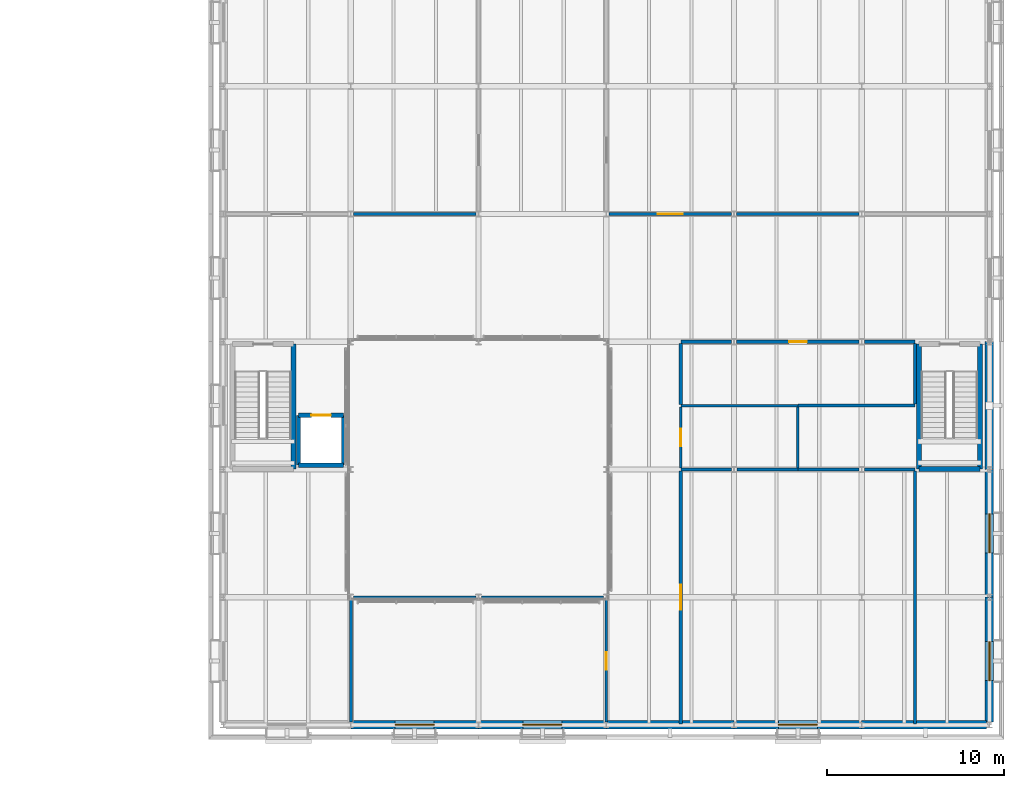
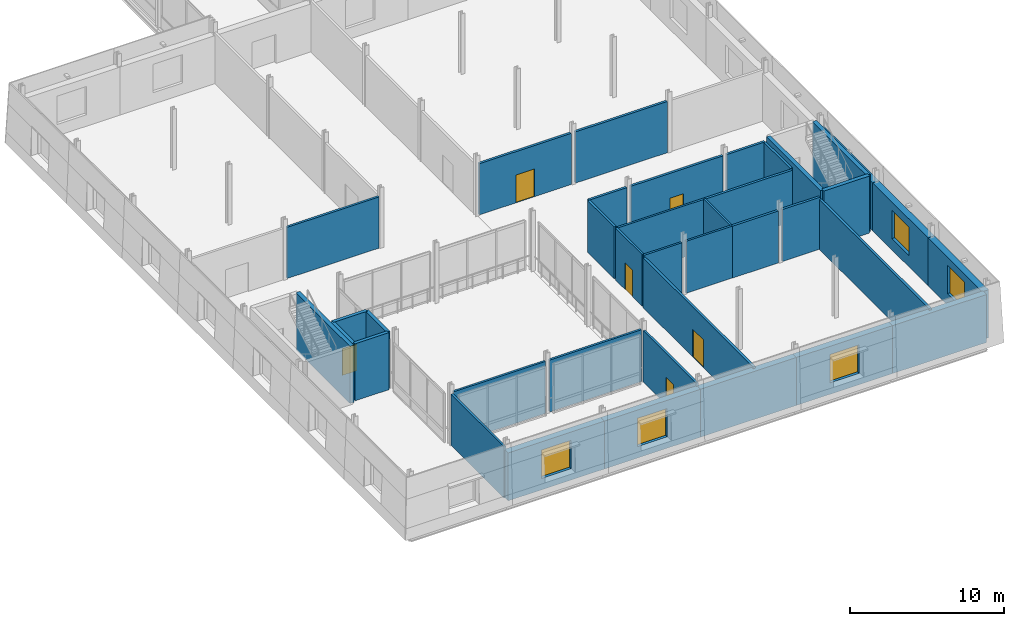
# One storey, part 85 of 121: 38 walls, 6 doors, 5 windows, 11 openings.
"""IFC4 building model written with IfcOpenShell, lengths in metres."""

from ifc_helpers import new_model, si_unit, direction, frame, frame_2d, origin, place, context, subcontext, project, spatial, rectangle, extrude, material, layer, layer_set, type_object, element, fill, save


model = new_model("IFC4")

# Units and contexts
model_context = context("Model", 3, precision=1e-05, world=origin(), true_north=direction((0.0, 1.0)))
body_context = subcontext(model_context, "Body", "Model", "MODEL_VIEW")
ifc_project = project(units=[si_unit("LENGTHUNIT", "METRE"), si_unit("AREAUNIT", "SQUARE_METRE"), si_unit("VOLUMEUNIT", "CUBIC_METRE"), si_unit("PLANEANGLEUNIT", "RADIAN"), si_unit("MASSUNIT", "GRAM", prefix="KILO")], contexts=[model_context])

# Site, building, storey
site_placement = place(None, origin())
site = spatial("IfcSite", under=ifc_project, at=site_placement, CompositionType="ELEMENT")
building_placement = place(site_placement, origin())
building = spatial("IfcBuilding", under=site, at=building_placement, Name="Narikvali Park Central Library", CompositionType="ELEMENT")
storey_placement = place(building_placement, frame((0.0, 0.0, 5.39990234375)))
storey = spatial("IfcBuildingStorey", under=building, at=storey_placement, Name="L01", CompositionType="ELEMENT", Elevation=5.39990234375)

# Walls
ifc_material_1 = material(Name="Acoustic Laminated Glass and Steel Studs", Category="steel")
ifc_layer_1 = layer(ifc_material_1, 0.169921875, Name="Acoustic Laminated Glass and Steel Studs")
ifc_layer_set_1 = layer_set([ifc_layer_1], Name="Acoustic Laminated Glass and Steel Studs")
wall_type_1 = type_object("IfcWallType", Name="Maker Space Glazed Acoustic Partition 170", PredefinedType="PARTITIONING", material=ifc_layer_set_1)
wall_1_placement = place(storey_placement, frame((129.75390625, 28.800048828125, 0.0), z_axis=(0.0, 0.0, 1.0), x_axis=(1.0, 0.0, 0.0)))
element("IfcWall", 1, at=wall_1_placement, inside=storey, type_object=wall_type_1, Name="Digital Fabrication and Robotics Maker Space Partition S", PredefinedType="PARTITIONING", context=body_context, shape_type="SweptSolid", body=[
    extrude(rectangle(XDim=6.89208984375, YDim=0.169921875, at=frame_2d((3.446044921875, 0.0))), origin(), (0.0, 0.0, 1.0), 4.05517578125),
])
ifc_material_2 = material(Name="Moisture-Resistant Cement Board on Steel Studs", Category="steel")
ifc_layer_2 = layer(ifc_material_2, 0.14990234375, Name="Moisture-Resistant Cement Board on Steel Studs")
ifc_layer_set_2 = layer_set([ifc_layer_2], Name="Moisture-Resistant Cement Board on Steel Studs")
wall_type_2 = type_object("IfcWallType", Name="Moisture-Resistant WC Partition 150", PredefinedType="PARTITIONING", material=ifc_layer_set_2)
wall_2_placement = place(storey_placement, frame((148.199951171875, 14.39990234375, 0.0), z_axis=(0.0, 0.0, 1.0), x_axis=(1.0, 0.0, 0.0)))
element("IfcWall", 2, at=wall_2_placement, inside=storey, type_object=wall_type_2, Name="Community Wing Accessible WC L01 Partition S", PredefinedType="PARTITIONING", context=body_context, shape_type="SweptSolid", body=[
    extrude(rectangle(XDim=2.845947265625, YDim=0.14990234375, at=frame_2d((1.4228515625, 0.0))), origin(), (0.0, 0.0, 1.0), 4.114990234375),
])
wall_3_placement = place(storey_placement, frame((151.35400390625, 14.39990234375, 0.0), z_axis=(0.0, 0.0, 1.0), x_axis=(1.0, 0.0, 0.0)))
element("IfcWall", 3, at=wall_3_placement, inside=storey, type_object=wall_type_2, Name="Community Wing Accessible WC L01 Partition S", PredefinedType="PARTITIONING", context=body_context, shape_type="SweptSolid", body=[
    extrude(rectangle(XDim=3.446044921875, YDim=0.14990234375, at=frame_2d((1.72314453125, 0.0))), origin(), (0.0, 0.0, 1.0), 4.114990234375),
])
wall_4_placement = place(storey_placement, frame((148.199951171875, 18.0, 0.0), z_axis=(0.0, 0.0, 1.0), x_axis=(1.0, 0.0, 0.0)))
element("IfcWall", 4, at=wall_4_placement, inside=storey, type_object=wall_type_2, Name="Community Wing Accessible WC L01 Partition N", PredefinedType="PARTITIONING", context=body_context, shape_type="SweptSolid", body=[
    extrude(rectangle(XDim=6.60009765625, YDim=0.14990234375, at=frame_2d((3.300048828125, 0.0))), origin(), (0.0, 0.0, 1.0), 4.065185546875),
])

# Wall, opening, door
wall_5_placement = place(storey_placement, frame((148.199951171875, 14.47705078125, 0.0), z_axis=(0.0, 0.0, 1.0), x_axis=(0.0, 1.0, 0.0)))
wall_5 = element("IfcWall", 5, at=wall_5_placement, inside=storey, type_object=wall_type_2, Name="Community Wing Accessible WC L01 Partition W", PredefinedType="PARTITIONING", context=body_context, shape_type="SweptSolid", body=[
    extrude(rectangle(XDim=3.446044921875, YDim=0.14990234375, at=frame_2d((1.72314453125, 0.0))), origin(), (0.0, 0.0, 1.0), 4.114990234375),
])
opening_1_placement = place(wall_5_placement, frame((1.23291015625, 0.0, 0.0)))
opening_1 = element("IfcOpeningElement", 6, at=opening_1_placement, cuts=wall_5, Name="Opening ID-0025", PredefinedType="OPENING", context=body_context, shape_type="SweptSolid", body=[
    extrude(rectangle(XDim=0.97998046875, YDim=2.10009765625, at=frame_2d((0.489990234375, 1.050048828125))), frame((0.0, 0.0869140625, 0.0), z_axis=(0.0, -1.0, 0.0), x_axis=(1.0, 0.0, 0.0)), (0.0, 0.0, 1.0), 0.173828125),
])
ifc_material_3 = material(Name="Laminate Faced Hardwood Core", Category="wood")
door_type_1 = type_object("IfcDoorType", Name="Accessible WC Outward-Opening Door 980x2100", OperationType="SINGLE_SWING_RIGHT", PredefinedType="DOOR", material=ifc_material_3)
door_1_placement = place(opening_1_placement, origin())
door_1 = element("IfcDoor", 7, at=door_1_placement, inside=storey, type_object=door_type_1, Name="Community Wing Accessible WC L01 Door ID-0025", OperationType="SINGLE_SWING_LEFT", OverallHeight=2.10009765625, OverallWidth=0.97998046875, PredefinedType="DOOR", context=body_context, shape_type="SweptSolid", body=[
    extrude(rectangle(XDim=0.97998046875, YDim=2.10009765625, at=frame_2d((0.489990234375, 1.050048828125))), frame((0.0, 0.02490234375, 0.0), z_axis=(0.0, -1.0, 0.0), x_axis=(1.0, 0.0, 0.0)), (0.0, 0.0, 1.0), 0.050048828125),
])
fill(opening_1, door_1)

# Wall
wall_6_placement = place(storey_placement, frame((154.800048828125, 14.491943359375, 0.0), z_axis=(0.0, 0.0, 1.0), x_axis=(0.0, 1.0, 0.0)))
element("IfcWall", 8, at=wall_6_placement, inside=storey, type_object=wall_type_2, Name="Community Wing Accessible WC L01 Partition E", PredefinedType="PARTITIONING", context=body_context, shape_type="SweptSolid", body=[
    extrude(rectangle(XDim=3.416015625, YDim=0.14990234375, at=frame_2d((1.7080078125, 0.0))), origin(), (0.0, 0.0, 1.0), 4.114990234375),
])

# Wall, opening, door
ifc_material_4 = material(Name="Acoustic Gypsum on Steel Studs", Category="steel")
ifc_layer_3 = layer(ifc_material_4, 0.179931640625, Name="Acoustic Gypsum on Steel Studs")
ifc_layer_set_3 = layer_set([ifc_layer_3], Name="Acoustic Gypsum on Steel Studs")
wall_type_3 = type_object("IfcWallType", Name="Reading Room Acoustic Partition 180", PredefinedType="PARTITIONING", material=ifc_layer_set_3)
wall_7_placement = place(storey_placement, frame((144.154052734375, 28.800048828125, 0.0), z_axis=(0.0, 0.0, 1.0), x_axis=(1.0, 0.0, 0.0)))
wall_7 = element("IfcWall", 9, at=wall_7_placement, inside=storey, type_object=wall_type_3, Name="Community Language and Literacy Classroom Partition S", PredefinedType="PARTITIONING", context=body_context, shape_type="SweptSolid", body=[
    extrude(rectangle(XDim=6.891845703125, YDim=0.179931640625, at=frame_2d((3.44580078125, 0.0))), origin(), (0.0, 0.0, 1.0), 4.05517578125),
])
opening_2_placement = place(wall_7_placement, frame((2.74609375, 0.0, 0.0)))
opening_2 = element("IfcOpeningElement", 10, at=opening_2_placement, cuts=wall_7, Name="Opening ID-0154", PredefinedType="OPENING", context=body_context, shape_type="SweptSolid", body=[
    extrude(rectangle(XDim=1.39990234375, YDim=2.199951171875, at=frame_2d((0.699951171875, 1.10009765625))), frame((0.0, 0.10205078125, 0.0), z_axis=(0.0, -1.0, 0.0), x_axis=(1.0, 0.0, 0.0)), (0.0, 0.0, 1.0), 0.203857421875),
])
ifc_material_5 = material(Name="Caucasian Oak and Acoustic Glass", Category="glass")
door_type_2 = type_object("IfcDoorType", Name="Community Room Glazed Oak Door 1400x2200", OperationType="DOUBLE_DOOR_SINGLE_SWING", PredefinedType="DOOR", material=ifc_material_5)
door_2_placement = place(opening_2_placement, origin())
door_2 = element("IfcDoor", 11, at=door_2_placement, inside=storey, type_object=door_type_2, Name="Community Language and Literacy Classroom Door ID-0154", OperationType="DOUBLE_DOOR_SINGLE_SWING", OverallHeight=2.199951171875, OverallWidth=1.39990234375, PredefinedType="DOOR", context=body_context, shape_type="SweptSolid", body=[
    extrude(rectangle(XDim=1.39990234375, YDim=2.199951171875, at=frame_2d((0.699951171875, 1.10009765625))), frame((0.0, 0.02490234375, 0.0), z_axis=(0.0, -1.0, 0.0), x_axis=(1.0, 0.0, 0.0)), (0.0, 0.0, 1.0), 0.050048828125),
])
fill(opening_2, door_2)

# Walls
wall_8_placement = place(storey_placement, frame((151.35400390625, 28.800048828125, 0.0), z_axis=(0.0, 0.0, 1.0), x_axis=(1.0, 0.0, 0.0)))
element("IfcWall", 12, at=wall_8_placement, inside=storey, type_object=wall_type_3, Name="Community Language and Literacy Classroom Partition S", PredefinedType="PARTITIONING", context=body_context, shape_type="SweptSolid", body=[
    extrude(rectangle(XDim=6.89208984375, YDim=0.179931640625, at=frame_2d((3.446044921875, 0.0))), origin(), (0.0, 0.0, 1.0), 4.05517578125),
])
wall_9_placement = place(storey_placement, frame((154.802001953125, 18.0, 0.0), z_axis=(0.0, 0.0, 1.0), x_axis=(1.0, 0.0, 0.0)))
element("IfcWall", 13, at=wall_9_placement, inside=storey, type_object=wall_type_3, Name="Maker Space Filament and Tool Room Partition S", PredefinedType="PARTITIONING", context=body_context, shape_type="SweptSolid", body=[
    extrude(rectangle(XDim=6.597900390625, YDim=0.179931640625, at=frame_2d((3.298828125, 0.0))), origin(), (0.0, 0.0, 1.0), 4.065185546875),
])
wall_10_placement = place(storey_placement, frame((148.199951171875, 21.60009765625, 0.0), z_axis=(0.0, 0.0, 1.0), x_axis=(1.0, 0.0, 0.0)))
element("IfcWall", 14, at=wall_10_placement, inside=storey, type_object=wall_type_3, Name="Maker Space Filament and Tool Room Partition N", PredefinedType="PARTITIONING", context=body_context, shape_type="SweptSolid", body=[
    extrude(rectangle(XDim=2.845947265625, YDim=0.179931640625, at=frame_2d((1.4228515625, 0.0))), origin(), (0.0, 0.0, 1.0), 4.114990234375),
])

# Wall, opening, door
wall_11_placement = place(storey_placement, frame((151.35400390625, 21.60009765625, 0.0), z_axis=(0.0, 0.0, 1.0), x_axis=(1.0, 0.0, 0.0)))
wall_11 = element("IfcWall", 15, at=wall_11_placement, inside=storey, type_object=wall_type_3, Name="Maker Space Filament and Tool Room Partition N", PredefinedType="PARTITIONING", context=body_context, shape_type="SweptSolid", body=[
    extrude(rectangle(XDim=6.89208984375, YDim=0.179931640625, at=frame_2d((3.446044921875, 0.0))), origin(), (0.0, 0.0, 1.0), 4.114990234375),
])
opening_3_placement = place(wall_11_placement, frame((2.946044921875, 0.0, 0.0)))
opening_3 = element("IfcOpeningElement", 16, at=opening_3_placement, cuts=wall_11, Name="Opening ID-0159", PredefinedType="OPENING", context=body_context, shape_type="SweptSolid", body=[
    extrude(rectangle(XDim=1.0, YDim=2.14990234375, at=frame_2d((0.5, 1.074951171875))), frame((0.0, 0.10205078125, 0.0), z_axis=(0.0, -1.0, 0.0), x_axis=(1.0, 0.0, 0.0)), (0.0, 0.0, 1.0), 0.203857421875),
])
ifc_material_6 = material(Name="Solid Caucasian Oak")
door_type_3 = type_object("IfcDoorType", Name="Study Room Single Oak Door 1000x2150", OperationType="SINGLE_SWING_LEFT", PredefinedType="DOOR", material=ifc_material_6)
door_3_placement = place(opening_3_placement, frame((1.0, 0.0, 0.0), z_axis=(0.0, 0.0, 1.0), x_axis=(-1.0, 0.0, 0.0)))
door_3 = element("IfcDoor", 17, at=door_3_placement, inside=storey, type_object=door_type_3, Name="Maker Space Filament and Tool Room Door ID-0159", OperationType="SINGLE_SWING_LEFT", OverallHeight=2.14990234375, OverallWidth=1.0, PredefinedType="DOOR", context=body_context, shape_type="SweptSolid", body=[
    extrude(rectangle(XDim=1.0, YDim=2.14990234375, at=frame_2d((0.5, 1.074951171875))), frame((0.0, 0.02490234375, 0.0), z_axis=(0.0, -1.0, 0.0), x_axis=(1.0, 0.0, 0.0)), (0.0, 0.0, 1.0), 0.050048828125),
])
fill(opening_3, door_3)

# Walls
wall_12_placement = place(storey_placement, frame((158.553955078125, 21.60009765625, 0.0), z_axis=(0.0, 0.0, 1.0), x_axis=(1.0, 0.0, 0.0)))
element("IfcWall", 18, at=wall_12_placement, inside=storey, type_object=wall_type_3, Name="Maker Space Filament and Tool Room Partition N", PredefinedType="PARTITIONING", context=body_context, shape_type="SweptSolid", body=[
    extrude(rectangle(XDim=2.845947265625, YDim=0.179931640625, at=frame_2d((1.4228515625, 0.0))), origin(), (0.0, 0.0, 1.0), 4.114990234375),
])
wall_13_placement = place(storey_placement, frame((154.802001953125, 14.39990234375, 0.0), z_axis=(0.0, 0.0, 1.0), x_axis=(1.0, 0.0, 0.0)))
element("IfcWall", 19, at=wall_13_placement, inside=storey, type_object=wall_type_3, Name="Civic Seminar Room B Partition N", PredefinedType="PARTITIONING", context=body_context, shape_type="SweptSolid", body=[
    extrude(rectangle(XDim=3.444091796875, YDim=0.179931640625, at=frame_2d((1.72216796875, 0.0))), origin(), (0.0, 0.0, 1.0), 4.114990234375),
])
wall_14_placement = place(storey_placement, frame((158.553955078125, 14.39990234375, 0.0), z_axis=(0.0, 0.0, 1.0), x_axis=(1.0, 0.0, 0.0)))
element("IfcWall", 20, at=wall_14_placement, inside=storey, type_object=wall_type_3, Name="Civic Seminar Room B Partition N", PredefinedType="PARTITIONING", context=body_context, shape_type="SweptSolid", body=[
    extrude(rectangle(XDim=2.845947265625, YDim=0.179931640625, at=frame_2d((1.4228515625, 0.0))), origin(), (0.0, 0.0, 1.0), 4.114990234375),
])
wall_15_placement = place(storey_placement, frame((148.199951171875, 18.076904296875, 0.0), z_axis=(0.0, 0.0, 1.0), x_axis=(0.0, 1.0, 0.0)))
element("IfcWall", 21, at=wall_15_placement, inside=storey, type_object=wall_type_3, Name="Maker Space Filament and Tool Room Partition W", PredefinedType="PARTITIONING", context=body_context, shape_type="SweptSolid", body=[
    extrude(rectangle(XDim=3.43115234375, YDim=0.179931640625, at=frame_2d((1.715576171875, 0.0))), origin(), (0.0, 0.0, 1.0), 4.114990234375),
])
wall_16_placement = place(storey_placement, frame((161.39990234375, 18.092041015625, 0.0), z_axis=(0.0, 0.0, 1.0), x_axis=(0.0, 1.0, 0.0)))
element("IfcWall", 22, at=wall_16_placement, inside=storey, type_object=wall_type_3, Name="Maker Space Filament and Tool Room Partition E", PredefinedType="PARTITIONING", context=body_context, shape_type="SweptSolid", body=[
    extrude(rectangle(XDim=3.416015625, YDim=0.179931640625, at=frame_2d((1.7080078125, 0.0))), origin(), (0.0, 0.0, 1.0), 4.114990234375),
])

# Wall, opening, door
wall_17_placement = place(storey_placement, frame((148.199951171875, 0.054931640625, 0.0), z_axis=(0.0, 0.0, 1.0), x_axis=(0.0, 1.0, 0.0)))
wall_17 = element("IfcWall", 23, at=wall_17_placement, inside=storey, type_object=wall_type_3, Name="Civic Seminar Room B Partition W", PredefinedType="PARTITIONING", context=body_context, shape_type="SweptSolid", body=[
    extrude(rectangle(XDim=14.26806640625, YDim=0.179931640625, at=frame_2d((7.134033203125, 0.0))), origin(), (0.0, 0.0, 1.0), 3.955078125),
])
opening_4_placement = place(wall_17_placement, frame((6.43408203125, 0.0, 0.0)))
opening_4 = element("IfcOpeningElement", 24, at=opening_4_placement, cuts=wall_17, Name="Opening ID-0160", PredefinedType="OPENING", context=body_context, shape_type="SweptSolid", body=[
    extrude(rectangle(XDim=1.39990234375, YDim=2.199951171875, at=frame_2d((0.699951171875, 1.10009765625))), frame((0.0, 0.10205078125, 0.0), z_axis=(0.0, -1.0, 0.0), x_axis=(1.0, 0.0, 0.0)), (0.0, 0.0, 1.0), 0.203857421875),
])
door_4_placement = place(opening_4_placement, frame((1.39990234375, 0.0, 0.0), z_axis=(0.0, 0.0, 1.0), x_axis=(-1.0, 0.0, 0.0)))
door_4 = element("IfcDoor", 25, at=door_4_placement, inside=storey, type_object=door_type_2, Name="Civic Seminar Room B Door ID-0160", OperationType="DOUBLE_DOOR_SINGLE_SWING", OverallHeight=2.199951171875, OverallWidth=1.39990234375, PredefinedType="DOOR", context=body_context, shape_type="SweptSolid", body=[
    extrude(rectangle(XDim=1.39990234375, YDim=2.199951171875, at=frame_2d((0.699951171875, 1.10009765625))), frame((0.0, 0.02490234375, 0.0), z_axis=(0.0, -1.0, 0.0), x_axis=(1.0, 0.0, 0.0)), (0.0, 0.0, 1.0), 0.050048828125),
])
fill(opening_4, door_4)

# Walls
wall_18_placement = place(storey_placement, frame((161.39990234375, 0.054931640625, 0.0), z_axis=(0.0, 0.0, 1.0), x_axis=(0.0, 1.0, 0.0)))
element("IfcWall", 26, at=wall_18_placement, inside=storey, type_object=wall_type_3, Name="Civic Seminar Room B Partition E", PredefinedType="PARTITIONING", context=body_context, shape_type="SweptSolid", body=[
    extrude(rectangle(XDim=14.253173828125, YDim=0.179931640625, at=frame_2d((7.12646484375, 0.0))), origin(), (0.0, 0.0, 1.0), 3.955078125),
])
ifc_material_7 = material(Name="Concrete C40/50", Category="concrete")
ifc_layer_4 = layer(ifc_material_7, 0.25, Name="Concrete C40/50")
ifc_layer_set_4 = layer_set([ifc_layer_4], Name="Concrete C40/50")
wall_type_4 = type_object("IfcWallType", Name="Reinforced Concrete Lift Shaft Wall 250", PredefinedType="SHEAR", material=ifc_layer_set_4)
wall_19_placement = place(storey_placement, frame((126.64990234375, 14.64990234375, 0.0), z_axis=(0.0, 0.0, 1.0), x_axis=(1.0, 0.0, 0.0)))
element("IfcWall", 27, at=wall_19_placement, inside=storey, type_object=wall_type_4, Name="L-07 L01 Lift Shaft Wall S", PredefinedType="SHEAR", context=body_context, shape_type="SweptSolid", body=[
    extrude(rectangle(XDim=2.550048828125, YDim=0.25, at=frame_2d((1.27490234375, 0.0))), origin(), (0.0, 0.0, 1.0), 4.52001953125),
])
wall_20_placement = place(storey_placement, frame((129.199951171875, 14.64990234375, 0.0), z_axis=(0.0, 0.0, 1.0), x_axis=(0.0, 1.0, 0.0)))
element("IfcWall", 28, at=wall_20_placement, inside=storey, type_object=wall_type_4, Name="L-07 L01 Lift Shaft Wall E", PredefinedType="SHEAR", context=body_context, shape_type="SweptSolid", body=[
    extrude(rectangle(XDim=2.800048828125, YDim=0.25, at=frame_2d((1.39990234375, 0.0))), origin(), (0.0, 0.0, 1.0), 4.52001953125),
])

# Wall, opening, door
wall_21_placement = place(storey_placement, frame((129.199951171875, 17.449951171875, 0.0), z_axis=(0.0, 0.0, 1.0), x_axis=(-1.0, 0.0, 0.0)))
wall_21 = element("IfcWall", 29, at=wall_21_placement, inside=storey, type_object=wall_type_4, Name="L-07 L01 Lift Shaft Wall N", PredefinedType="SHEAR", context=body_context, shape_type="SweptSolid", body=[
    extrude(rectangle(XDim=2.550048828125, YDim=0.25, at=frame_2d((1.27490234375, 0.0))), origin(), (0.0, 0.0, 1.0), 4.52001953125),
])
opening_5_placement = place(wall_21_placement, frame((0.72509765625, 0.0, 0.0)))
opening_5 = element("IfcOpeningElement", 30, at=opening_5_placement, cuts=wall_21, Name="Opening LD-050", PredefinedType="OPENING", context=body_context, shape_type="SweptSolid", body=[
    extrude(rectangle(XDim=1.10009765625, YDim=2.10009765625, at=frame_2d((0.550048828125, 1.050048828125))), frame((0.0, 0.136962890625, 0.0), z_axis=(0.0, -1.0, 0.0), x_axis=(1.0, 0.0, 0.0)), (0.0, 0.0, 1.0), 0.27392578125),
])
ifc_material_8 = material(Name="Brushed Stainless Steel S355", Category="steel")
door_type_4 = type_object("IfcDoorType", Name="Passenger Lift Sliding Landing Door 1100x2100", OperationType="SLIDING_TO_LEFT", PredefinedType="DOOR", material=ifc_material_8)
door_5_placement = place(opening_5_placement, origin())
door_5 = element("IfcDoor", 31, at=door_5_placement, inside=storey, type_object=door_type_4, Name="L-07 L01 Lift Landing Sliding Door LD-050", OperationType="SLIDING_TO_LEFT", OverallHeight=2.10009765625, OverallWidth=1.10009765625, PredefinedType="DOOR", context=body_context, shape_type="SweptSolid", body=[
    extrude(rectangle(XDim=1.10009765625, YDim=2.10009765625, at=frame_2d((0.550048828125, 1.050048828125))), frame((0.0, 0.02490234375, 0.0), z_axis=(0.0, -1.0, 0.0), x_axis=(1.0, 0.0, 0.0)), (0.0, 0.0, 1.0), 0.050048828125),
])
fill(opening_5, door_5)

# Walls
wall_22_placement = place(storey_placement, frame((126.64990234375, 17.449951171875, 0.0), z_axis=(0.0, 0.0, 1.0), x_axis=(0.0, -1.0, 0.0)))
element("IfcWall", 32, at=wall_22_placement, inside=storey, type_object=wall_type_4, Name="L-07 L01 Lift Shaft Wall W", PredefinedType="SHEAR", context=body_context, shape_type="SweptSolid", body=[
    extrude(rectangle(XDim=2.800048828125, YDim=0.25, at=frame_2d((1.39990234375, 0.0))), origin(), (0.0, 0.0, 1.0), 4.52001953125),
])
ifc_layer_5 = layer(ifc_material_7, 0.300048828125, Name="Concrete C40/50")
ifc_layer_set_5 = layer_set([ifc_layer_5], Name="Concrete C40/50")
wall_type_5 = type_object("IfcWallType", Name="Reinforced Concrete Shear Wall 300", PredefinedType="SHEAR", material=ifc_layer_set_5)
wall_23_placement = place(storey_placement, frame((126.3701171875, 14.429931640625, 0.0), z_axis=(0.0, 0.0, 1.0), x_axis=(0.0, 1.0, 0.0)))
element("IfcWall", 33, at=wall_23_placement, inside=storey, type_object=wall_type_5, Name="C6A L01 Stair Core Shear Wall E", PredefinedType="SHEAR", context=body_context, shape_type="SweptSolid", body=[
    extrude(rectangle(XDim=7.0400390625, YDim=0.300048828125, at=frame_2d((3.52001953125, 0.0))), origin(), (0.0, 0.0, 1.0), 4.52001953125),
])
wall_24_placement = place(storey_placement, frame((161.6298828125, 14.429931640625, 0.0), z_axis=(0.0, 0.0, 1.0), x_axis=(1.0, 0.0, 0.0)))
element("IfcWall", 34, at=wall_24_placement, inside=storey, type_object=wall_type_5, Name="C6B L01 Stair Core Shear Wall S", PredefinedType="SHEAR", context=body_context, shape_type="SweptSolid", body=[
    extrude(rectangle(XDim=3.440185546875, YDim=0.300048828125, at=frame_2d((1.72021484375, 0.0))), origin(), (0.0, 0.0, 1.0), 4.52001953125),
])
for number, where, z_axis, x_axis, name in (
    (35, (165.070068359375, 14.429931640625, 0.0), (0.0, 0.0, 1.0), (0.0, 1.0, 0.0), "C6B L01 Stair Core Shear Wall E"),
    (36, (161.6298828125, 21.469970703125, 0.0), (0.0, 0.0, 1.0), (0.0, -1.0, 0.0), "C6B L01 Stair Core Shear Wall W"),
):
    element("IfcWall", number, at=place(storey_placement, frame(where, z_axis=z_axis, x_axis=x_axis)), inside=storey, type_object=wall_type_5, Name=name, PredefinedType="SHEAR", context=body_context, shape_type="SweptSolid", body=[
        extrude(rectangle(XDim=7.0400390625, YDim=0.300048828125, at=frame_2d((3.52001953125, 0.0))), origin(), (0.0, 0.0, 1.0), 4.52001953125),
    ])
ifc_material_9 = material(Name="Gypsum Board on Galvanised Steel Studs", Category="steel")
ifc_layer_6 = layer(ifc_material_9, 0.159912109375, Name="Gypsum Board on Galvanised Steel Studs")
ifc_layer_set_6 = layer_set([ifc_layer_6], Name="Gypsum Board on Galvanised Steel Studs")
wall_type_6 = type_object("IfcWallType", Name="Study Room Partition Wall 160", PredefinedType="PARTITIONING", material=ifc_layer_set_6)
wall_25_placement = place(storey_placement, frame((129.75390625, 7.199951171875, 0.0), z_axis=(0.0, 0.0, 1.0), x_axis=(1.0, 0.0, 0.0)))
element("IfcWall", 37, at=wall_25_placement, inside=storey, type_object=wall_type_6, Name="Park Promenade Reading Mezzanine Partition N", PredefinedType="PARTITIONING", context=body_context, shape_type="SweptSolid", body=[
    extrude(rectangle(XDim=6.89208984375, YDim=0.159912109375, at=frame_2d((3.446044921875, 0.0))), origin(), (0.0, 0.0, 1.0), 4.114990234375),
])
wall_26_placement = place(storey_placement, frame((136.9541015625, 7.199951171875, 0.0), z_axis=(0.0, 0.0, 1.0), x_axis=(1.0, 0.0, 0.0)))
element("IfcWall", 38, at=wall_26_placement, inside=storey, type_object=wall_type_6, Name="Park Promenade Reading Mezzanine Partition N", PredefinedType="PARTITIONING", context=body_context, shape_type="SweptSolid", body=[
    extrude(rectangle(XDim=6.891845703125, YDim=0.159912109375, at=frame_2d((3.44580078125, 0.0))), origin(), (0.0, 0.0, 1.0), 4.114990234375),
])
wall_27_placement = place(storey_placement, frame((129.60009765625, 0.1640625, 0.0), z_axis=(0.0, 0.0, 1.0), x_axis=(0.0, 1.0, 0.0)))
element("IfcWall", 39, at=wall_27_placement, inside=storey, type_object=wall_type_6, Name="Park Promenade Reading Mezzanine Partition W", PredefinedType="PARTITIONING", context=body_context, shape_type="SweptSolid", body=[
    extrude(rectangle(XDim=6.871826171875, YDim=0.159912109375, at=frame_2d((3.43603515625, 0.0))), origin(), (0.0, 0.0, 1.0), 4.065185546875),
])

# Wall, opening, door
wall_28_placement = place(storey_placement, frame((144.0, 0.1640625, 0.0), z_axis=(0.0, 0.0, 1.0), x_axis=(0.0, 1.0, 0.0)))
wall_28 = element("IfcWall", 40, at=wall_28_placement, inside=storey, type_object=wall_type_6, Name="Park Promenade Reading Mezzanine Partition E", PredefinedType="PARTITIONING", context=body_context, shape_type="SweptSolid", body=[
    extrude(rectangle(XDim=6.871826171875, YDim=0.159912109375, at=frame_2d((3.43603515625, 0.0))), origin(), (0.0, 0.0, 1.0), 4.065185546875),
])
opening_6_placement = place(wall_28_placement, frame((2.93603515625, 0.0, 0.0)))
opening_6 = element("IfcOpeningElement", 41, at=opening_6_placement, cuts=wall_28, Name="Opening ID-0156", PredefinedType="OPENING", context=body_context, shape_type="SweptSolid", body=[
    extrude(rectangle(XDim=1.0, YDim=2.14990234375, at=frame_2d((0.5, 1.074951171875))), frame((0.0, 0.091796875, 0.0), z_axis=(0.0, -1.0, 0.0), x_axis=(1.0, 0.0, 0.0)), (0.0, 0.0, 1.0), 0.183837890625),
])
door_6_placement = place(opening_6_placement, origin())
door_6 = element("IfcDoor", 42, at=door_6_placement, inside=storey, type_object=door_type_3, Name="Park Promenade Reading Mezzanine Door ID-0156", OperationType="SINGLE_SWING_RIGHT", OverallHeight=2.14990234375, OverallWidth=1.0, PredefinedType="DOOR", context=body_context, shape_type="SweptSolid", body=[
    extrude(rectangle(XDim=1.0, YDim=2.14990234375, at=frame_2d((0.5, 1.074951171875))), frame((0.0, 0.02490234375, 0.0), z_axis=(0.0, -1.0, 0.0), x_axis=(1.0, 0.0, 0.0)), (0.0, 0.0, 1.0), 0.050048828125),
])
fill(opening_6, door_6)

# Wall, opening, window
ifc_material_10 = material(Name="White Honed Limestone over Concrete C35/45", Category="masonry")
ifc_layer_7 = layer(ifc_material_10, 0.47998046875, Name="White Honed Limestone over Concrete C35/45")
ifc_layer_set_7 = layer_set([ifc_layer_7], Name="White Honed Limestone over Concrete C35/45")
wall_type_7 = type_object("IfcWallType", Name="White Limestone Battered Tier1 Wall 480", PredefinedType="SOLIDWALL", material=ifc_layer_set_7)
wall_29_placement = place(storey_placement, frame((129.60009765625, 0.0, 0.0), z_axis=(0.0, 0.0, 1.0), x_axis=(1.0, 0.0, 0.0)))
wall_29 = element("IfcWall", 43, at=wall_29_placement, inside=storey, type_object=wall_type_7, Name="V6 L01 S Exterior Limestone Wall B02", PredefinedType="SOLIDWALL", context=body_context, shape_type="SweptSolid", body=[
    extrude(rectangle(XDim=7.199951171875, YDim=0.47998046875, at=frame_2d((3.60009765625, 0.0))), origin(), (0.0, 0.0, 1.0), 3.800048828125),
])
opening_7_placement = place(wall_29_placement, frame((2.5, 0.0, 0.89990234375)))
opening_7 = element("IfcOpeningElement", 44, at=opening_7_placement, cuts=wall_29, Name="Opening WIN-0363", PredefinedType="OPENING", context=body_context, shape_type="SweptSolid", body=[
    extrude(rectangle(XDim=2.199951171875, YDim=2.25, at=frame_2d((1.10009765625, 1.125))), frame((0.0, 0.251953125, 0.0), z_axis=(0.0, -1.0, 0.0), x_axis=(1.0, 0.0, 0.0)), (0.0, 0.0, 1.0), 0.50390625),
])
ifc_material_11 = material(Name="Anodised Bronze Aluminium and Low-E Triple Glazing", Category="aluminium")
window_type = type_object("IfcWindowType", Name="Community & Fine Arts Studio Window 2200x2250", PartitioningType="TRIPLE_PANEL_VERTICAL", PredefinedType="WINDOW", material=ifc_material_11)
window_1_placement = place(opening_7_placement, origin())
window_1 = element("IfcWindow", 45, at=window_1_placement, inside=storey, type_object=window_type, Name="V6 L01 S Deep-Reveal Window WIN-0363", OverallHeight=2.25, OverallWidth=2.199951171875, PartitioningType="SINGLE_PANEL", PredefinedType="WINDOW", context=body_context, shape_type="SweptSolid", body=[
    extrude(rectangle(XDim=2.199951171875, YDim=2.25, at=frame_2d((1.10009765625, 1.125))), frame((0.0, 0.030029296875, 0.0), z_axis=(0.0, -1.0, 0.0), x_axis=(1.0, 0.0, 0.0)), (0.0, 0.0, 1.0), 0.06005859375),
])
fill(opening_7, window_1)

wall_30_placement = place(storey_placement, frame((136.800048828125, 0.0, 0.0), z_axis=(0.0, 0.0, 1.0), x_axis=(1.0, 0.0, 0.0)))
wall_30 = element("IfcWall", 46, at=wall_30_placement, inside=storey, type_object=wall_type_7, Name="V6 L01 S Exterior Limestone Wall B03", PredefinedType="SOLIDWALL", context=body_context, shape_type="SweptSolid", body=[
    extrude(rectangle(XDim=7.199951171875, YDim=0.47998046875, at=frame_2d((3.60009765625, 0.0))), origin(), (0.0, 0.0, 1.0), 3.800048828125),
])
opening_8_placement = place(wall_30_placement, frame((2.5, 0.0, 0.89990234375)))
opening_8 = element("IfcOpeningElement", 47, at=opening_8_placement, cuts=wall_30, Name="Opening WIN-0364", PredefinedType="OPENING", context=body_context, shape_type="SweptSolid", body=[
    extrude(rectangle(XDim=2.199951171875, YDim=2.25, at=frame_2d((1.10009765625, 1.125))), frame((0.0, 0.251953125, 0.0), z_axis=(0.0, -1.0, 0.0), x_axis=(1.0, 0.0, 0.0)), (0.0, 0.0, 1.0), 0.50390625),
])
window_2_placement = place(opening_8_placement, origin())
window_2 = element("IfcWindow", 48, at=window_2_placement, inside=storey, type_object=window_type, Name="V6 L01 S Deep-Reveal Window WIN-0364", OverallHeight=2.25, OverallWidth=2.199951171875, PartitioningType="SINGLE_PANEL", PredefinedType="WINDOW", context=body_context, shape_type="SweptSolid", body=[
    extrude(rectangle(XDim=2.199951171875, YDim=2.25, at=frame_2d((1.10009765625, 1.125))), frame((0.0, 0.030029296875, 0.0), z_axis=(0.0, -1.0, 0.0), x_axis=(1.0, 0.0, 0.0)), (0.0, 0.0, 1.0), 0.06005859375),
])
fill(opening_8, window_2)

# Wall
wall_31_placement = place(storey_placement, frame((144.0, 0.0, 0.0), z_axis=(0.0, 0.0, 1.0), x_axis=(1.0, 0.0, 0.0)))
element("IfcWall", 49, at=wall_31_placement, inside=storey, type_object=wall_type_7, Name="V6 L01 S Exterior Limestone Wall B04", PredefinedType="SOLIDWALL", context=body_context, shape_type="SweptSolid", body=[
    extrude(rectangle(XDim=7.199951171875, YDim=0.47998046875, at=frame_2d((3.60009765625, 0.0))), origin(), (0.0, 0.0, 1.0), 3.800048828125),
])

# Wall, opening, window
wall_32_placement = place(storey_placement, frame((151.199951171875, 0.0, 0.0), z_axis=(0.0, 0.0, 1.0), x_axis=(1.0, 0.0, 0.0)))
wall_32 = element("IfcWall", 50, at=wall_32_placement, inside=storey, type_object=wall_type_7, Name="V6 L01 S Exterior Limestone Wall B05", PredefinedType="SOLIDWALL", context=body_context, shape_type="SweptSolid", body=[
    extrude(rectangle(XDim=7.199951171875, YDim=0.47998046875, at=frame_2d((3.60009765625, 0.0))), origin(), (0.0, 0.0, 1.0), 3.800048828125),
])
opening_9_placement = place(wall_32_placement, frame((2.5, 0.0, 0.89990234375)))
opening_9 = element("IfcOpeningElement", 51, at=opening_9_placement, cuts=wall_32, Name="Opening WIN-0365", PredefinedType="OPENING", context=body_context, shape_type="SweptSolid", body=[
    extrude(rectangle(XDim=2.199951171875, YDim=2.25, at=frame_2d((1.10009765625, 1.125))), frame((0.0, 0.251953125, 0.0), z_axis=(0.0, -1.0, 0.0), x_axis=(1.0, 0.0, 0.0)), (0.0, 0.0, 1.0), 0.50390625),
])
window_3_placement = place(opening_9_placement, origin())
window_3 = element("IfcWindow", 52, at=window_3_placement, inside=storey, type_object=window_type, Name="V6 L01 S Deep-Reveal Window WIN-0365", OverallHeight=2.25, OverallWidth=2.199951171875, PartitioningType="SINGLE_PANEL", PredefinedType="WINDOW", context=body_context, shape_type="SweptSolid", body=[
    extrude(rectangle(XDim=2.199951171875, YDim=2.25, at=frame_2d((1.10009765625, 1.125))), frame((0.0, 0.030029296875, 0.0), z_axis=(0.0, -1.0, 0.0), x_axis=(1.0, 0.0, 0.0)), (0.0, 0.0, 1.0), 0.06005859375),
])
fill(opening_9, window_3)

# Wall
wall_33_placement = place(storey_placement, frame((158.39990234375, 0.0, 0.0), z_axis=(0.0, 0.0, 1.0), x_axis=(1.0, 0.0, 0.0)))
element("IfcWall", 53, at=wall_33_placement, inside=storey, type_object=wall_type_7, Name="V6 L01 S Exterior Limestone Wall B06", PredefinedType="SOLIDWALL", context=body_context, shape_type="SweptSolid", body=[
    extrude(rectangle(XDim=7.046142578125, YDim=0.47998046875, at=frame_2d((3.52294921875, 0.0))), origin(), (0.0, 0.0, 1.0), 3.800048828125),
])

# Wall, opening, window
wall_34_placement = place(storey_placement, frame((165.60009765625, 0.1640625, 0.0), z_axis=(0.0, 0.0, 1.0), x_axis=(0.0, 1.0, 0.0)))
wall_34 = element("IfcWall", 54, at=wall_34_placement, inside=storey, type_object=wall_type_7, Name="V6 L01 E Exterior Limestone Wall B01", PredefinedType="SOLIDWALL", context=body_context, shape_type="SweptSolid", body=[
    extrude(rectangle(XDim=7.035888671875, YDim=0.47998046875, at=frame_2d((3.51806640625, 0.0))), origin(), (0.0, 0.0, 1.0), 3.800048828125),
])
opening_10_placement = place(wall_34_placement, frame((2.3359375, 0.0, 0.89990234375)))
opening_10 = element("IfcOpeningElement", 55, at=opening_10_placement, cuts=wall_34, Name="Opening WIN-0366", PredefinedType="OPENING", context=body_context, shape_type="SweptSolid", body=[
    extrude(rectangle(XDim=2.199951171875, YDim=2.25, at=frame_2d((1.10009765625, 1.125))), frame((0.0, 0.251953125, 0.0), z_axis=(0.0, -1.0, 0.0), x_axis=(1.0, 0.0, 0.0)), (0.0, 0.0, 1.0), 0.50390625),
])
window_4_placement = place(opening_10_placement, origin())
window_4 = element("IfcWindow", 56, at=window_4_placement, inside=storey, type_object=window_type, Name="V6 L01 E Deep-Reveal Window WIN-0366", OverallHeight=2.25, OverallWidth=2.199951171875, PartitioningType="SINGLE_PANEL", PredefinedType="WINDOW", context=body_context, shape_type="SweptSolid", body=[
    extrude(rectangle(XDim=2.199951171875, YDim=2.25, at=frame_2d((1.10009765625, 1.125))), frame((0.0, 0.030029296875, 0.0), z_axis=(0.0, -1.0, 0.0), x_axis=(1.0, 0.0, 0.0)), (0.0, 0.0, 1.0), 0.06005859375),
])
fill(opening_10, window_4)

wall_35_placement = place(storey_placement, frame((165.60009765625, 7.199951171875, 0.0), z_axis=(0.0, 0.0, 1.0), x_axis=(0.0, 1.0, 0.0)))
wall_35 = element("IfcWall", 57, at=wall_35_placement, inside=storey, type_object=wall_type_7, Name="V6 L01 E Exterior Limestone Wall B02", PredefinedType="SOLIDWALL", context=body_context, shape_type="SweptSolid", body=[
    extrude(rectangle(XDim=7.199951171875, YDim=0.47998046875, at=frame_2d((3.60009765625, 0.0))), origin(), (0.0, 0.0, 1.0), 3.800048828125),
])
opening_11_placement = place(wall_35_placement, frame((2.5, 0.0, 0.89990234375)))
opening_11 = element("IfcOpeningElement", 58, at=opening_11_placement, cuts=wall_35, Name="Opening WIN-0367", PredefinedType="OPENING", context=body_context, shape_type="SweptSolid", body=[
    extrude(rectangle(XDim=2.199951171875, YDim=2.25, at=frame_2d((1.10009765625, 1.125))), frame((0.0, 0.251953125, 0.0), z_axis=(0.0, -1.0, 0.0), x_axis=(1.0, 0.0, 0.0)), (0.0, 0.0, 1.0), 0.50390625),
])
window_5_placement = place(opening_11_placement, origin())
window_5 = element("IfcWindow", 59, at=window_5_placement, inside=storey, type_object=window_type, Name="V6 L01 E Deep-Reveal Window WIN-0367", OverallHeight=2.25, OverallWidth=2.199951171875, PartitioningType="SINGLE_PANEL", PredefinedType="WINDOW", context=body_context, shape_type="SweptSolid", body=[
    extrude(rectangle(XDim=2.199951171875, YDim=2.25, at=frame_2d((1.10009765625, 1.125))), frame((0.0, 0.030029296875, 0.0), z_axis=(0.0, -1.0, 0.0), x_axis=(1.0, 0.0, 0.0)), (0.0, 0.0, 1.0), 0.06005859375),
])
fill(opening_11, window_5)

# Wall
wall_36_placement = place(storey_placement, frame((165.60009765625, 14.39990234375, 0.0), z_axis=(0.0, 0.0, 1.0), x_axis=(0.0, 1.0, 0.0)))
element("IfcWall", 60, at=wall_36_placement, inside=storey, type_object=wall_type_7, Name="V6 L01 E Exterior Limestone Wall B03", PredefinedType="SOLIDWALL", context=body_context, shape_type="SweptSolid", body=[
    extrude(rectangle(XDim=7.2001953125, YDim=0.47998046875, at=frame_2d((3.60009765625, 0.0))), origin(), (0.0, 0.0, 1.0), 3.800048828125),
])

save(model, "model.ifc")
